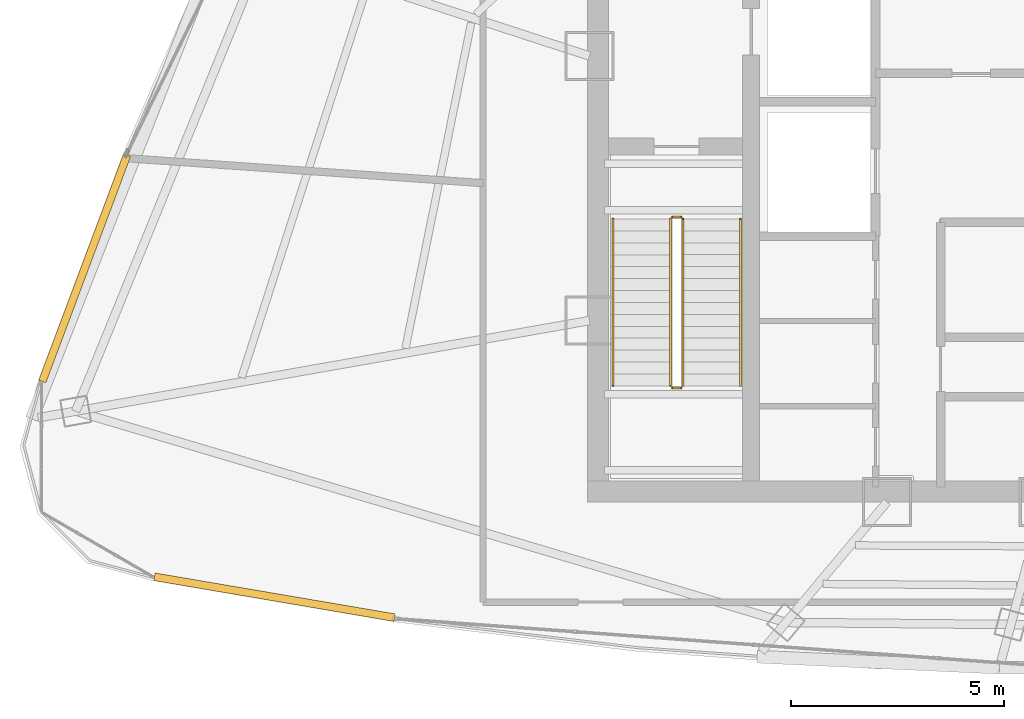
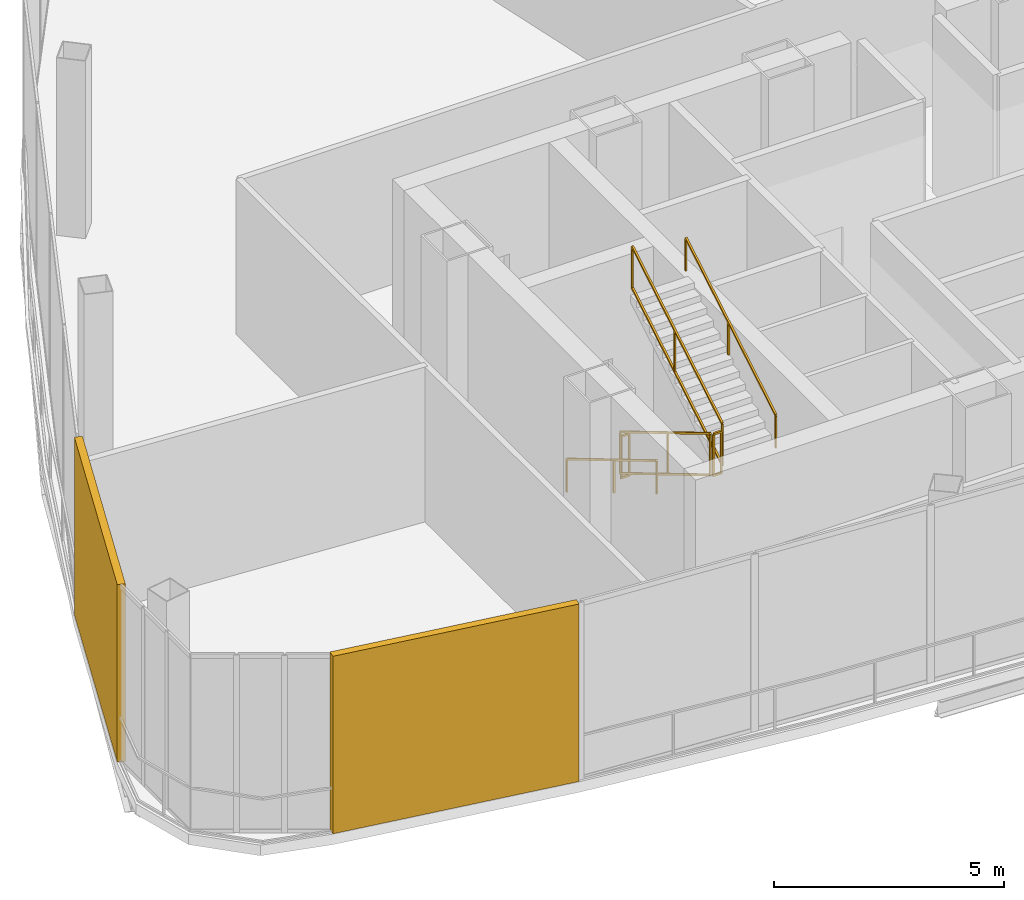
# One storey, part 31 of 33: 6 railings, 2 shading devices.
"""IFC4 building model written with IfcOpenShell, lengths in metres."""

from ifc_helpers import new_model, si_unit, direction, frame, origin, origin_2d, place, context, subcontext, project, spatial, rectangle, extrude, source, transform, mapped, material, layer, layer_set, type_object, element, save


model = new_model("IFC4")

# Units and contexts
model_context = context("Model", 3, precision=1e-05, world=origin(), true_north=direction((0.0, 1.0)))
body_context = subcontext(model_context, "Body", "Model", "MODEL_VIEW")
ifc_project = project(units=[si_unit("LENGTHUNIT", "METRE"), si_unit("AREAUNIT", "SQUARE_METRE"), si_unit("VOLUMEUNIT", "CUBIC_METRE"), si_unit("PLANEANGLEUNIT", "RADIAN"), si_unit("MASSUNIT", "GRAM", prefix="KILO"), si_unit("THERMODYNAMICTEMPERATUREUNIT", "KELVIN"), si_unit("POWERUNIT", "WATT")], contexts=[model_context])

# Site, building, storey
site_placement = place(None, origin())
site = spatial("IfcSite", under=ifc_project, at=site_placement, CompositionType="ELEMENT")
building_placement = place(site_placement, origin())
building = spatial("IfcBuilding", under=site, at=building_placement, Name="Yunzhuo Pagoda Commons", CompositionType="ELEMENT")
storey_placement = place(building_placement, frame((0.0, 0.0, 391.760009765625)))
storey = spatial("IfcBuildingStorey", under=building, at=storey_placement, Name="L97", CompositionType="ELEMENT", Elevation=391.760009765625)

# Railings
ifc_material = material(Name="Anodized aluminium 6063-T6", Category="aluminium")
railing_type_1 = type_object("IfcRailingType", Name="GR-ST1 Stair Well Guardrail 1150", PredefinedType="GUARDRAIL", material=ifc_material)
railing_1_placement = place(storey_placement, frame((37.5, 33.89990234375, 0.166748046875)))
element("IfcRailing", 1, at=railing_1_placement, inside=storey, type_object=railing_type_1, Name="L97 ST1 stair guard 1", PredefinedType="GUARDRAIL", context=body_context, shape_type="SweptSolid", body=[
    extrude(rectangle(XDim=0.048095703125, YDim=0.048095703125, at=origin_2d()), frame((0.0, 0.0, 1.1259765625), z_axis=(0.0, -0.859296244711, 0.511478214419), x_axis=(1.0, 0.0, 0.0)), (0.0, 0.0, 1.0), 4.561767578125),
    extrude(rectangle(XDim=0.048095703125, YDim=0.048095703125, at=origin_2d()), frame((0.0, 0.0, 0.02392578125), z_axis=(0.0, -0.859296244711, 0.511478214419), x_axis=(1.0, 0.0, 0.0)), (0.0, 0.0, 1.0), 4.561767578125),
    extrude(rectangle(XDim=0.0419921875, YDim=0.0419921875, at=origin_2d()), origin(), (0.0, 0.0, 1.0), 1.101806640625),
    extrude(rectangle(XDim=0.0419921875, YDim=0.0419921875, at=origin_2d()), frame((0.0, -2.062255859375, 1.2275390625)), (0.0, 0.0, 1.0), 1.101806640625),
    extrude(rectangle(XDim=0.0419921875, YDim=0.0419921875, at=origin_2d()), frame((0.0, -3.919921875, 2.333251953125)), (0.0, 0.0, 1.0), 1.101806640625),
])
railing_2_placement = place(storey_placement, frame((37.550048828125, 29.929931640625, 2.5)))
element("IfcRailing", 2, at=railing_2_placement, inside=storey, type_object=railing_type_1, Name="L97 ST1 stair guard 2", PredefinedType="GUARDRAIL", context=body_context, shape_type="SweptSolid", body=[
    extrude(rectangle(XDim=0.048095703125, YDim=0.048095703125, at=origin_2d()), frame((0.0, 0.0, 1.1259765625), z_axis=(1.0, 0.0, 0.0), x_axis=(0.0, 1.0, 0.0)), (0.0, 0.0, 1.0), 0.199951171875),
    extrude(rectangle(XDim=0.048095703125, YDim=0.048095703125, at=origin_2d()), frame((0.0, 0.0, 0.02392578125), z_axis=(1.0, 0.0, 0.0), x_axis=(0.0, 1.0, 0.0)), (0.0, 0.0, 1.0), 0.199951171875),
    extrude(rectangle(XDim=0.0419921875, YDim=0.0419921875, at=origin_2d()), origin(), (0.0, 0.0, 1.0), 1.101806640625),
    extrude(rectangle(XDim=0.0419921875, YDim=0.0419921875, at=origin_2d()), frame((0.199951171875, 0.0, 0.0)), (0.0, 0.0, 1.0), 1.101806640625),
])
railing_3_placement = place(storey_placement, frame((37.800048828125, 29.97998046875, 2.666748046875)))
element("IfcRailing", 3, at=railing_3_placement, inside=storey, type_object=railing_type_1, Name="L97 ST1 stair guard 3", PredefinedType="GUARDRAIL", context=body_context, shape_type="SweptSolid", body=[
    extrude(rectangle(XDim=0.048095703125, YDim=0.048095703125, at=origin_2d()), frame((0.0, 0.0, 1.1259765625), z_axis=(0.0, 0.859296244711, 0.511478214419), x_axis=(-1.0, 0.0, 0.0)), (0.0, 0.0, 1.0), 4.561767578125),
    extrude(rectangle(XDim=0.048095703125, YDim=0.048095703125, at=origin_2d()), frame((0.0, 0.0, 0.02392578125), z_axis=(0.0, 0.859296244711, 0.511478214419), x_axis=(-1.0, 0.0, 0.0)), (0.0, 0.0, 1.0), 4.561767578125),
    extrude(rectangle(XDim=0.0419921875, YDim=0.0419921875, at=origin_2d()), origin(), (0.0, 0.0, 1.0), 1.101806640625),
    extrude(rectangle(XDim=0.0419921875, YDim=0.0419921875, at=origin_2d()), frame((0.0, 2.062255859375, 1.2275390625)), (0.0, 0.0, 1.0), 1.101806640625),
    extrude(rectangle(XDim=0.0419921875, YDim=0.0419921875, at=origin_2d()), frame((0.0, 3.919921875, 2.333251953125)), (0.0, 0.0, 1.0), 1.101806640625),
])
railing_4_placement = place(storey_placement, frame((37.550048828125, 33.949951171875, 0.0)))
element("IfcRailing", 4, at=railing_4_placement, inside=storey, type_object=railing_type_1, Name="L97 ST1 stair guard 4", PredefinedType="GUARDRAIL", context=body_context, shape_type="SweptSolid", body=[
    extrude(rectangle(XDim=0.048095703125, YDim=0.048095703125, at=origin_2d()), frame((0.0, 0.0, 1.1259765625), z_axis=(1.0, 0.0, 0.0), x_axis=(0.0, 1.0, 0.0)), (0.0, 0.0, 1.0), 0.199951171875),
    extrude(rectangle(XDim=0.048095703125, YDim=0.048095703125, at=origin_2d()), frame((0.0, 0.0, 0.02392578125), z_axis=(1.0, 0.0, 0.0), x_axis=(0.0, 1.0, 0.0)), (0.0, 0.0, 1.0), 0.199951171875),
    extrude(rectangle(XDim=0.0419921875, YDim=0.0419921875, at=origin_2d()), origin(), (0.0, 0.0, 1.0), 1.101806640625),
    extrude(rectangle(XDim=0.0419921875, YDim=0.0419921875, at=origin_2d()), frame((0.199951171875, 0.0, 0.0)), (0.0, 0.0, 1.0), 1.101806640625),
])
railing_type_2 = type_object("IfcRailingType", Name="HR-ST1 Stair Handrail 900", PredefinedType="HANDRAIL", material=ifc_material)
railing_5_placement = place(storey_placement, frame((36.14990234375, 33.89990234375, 0.166748046875)))
element("IfcRailing", 5, at=railing_5_placement, inside=storey, type_object=railing_type_2, Name="L97 ST1 stair handrail 1", PredefinedType="HANDRAIL", context=body_context, shape_type="SweptSolid", body=[
    extrude(rectangle(XDim=0.048095703125, YDim=0.048095703125, at=origin_2d()), frame((0.0, 0.0, 0.8759765625), z_axis=(0.0, -0.859296244711, 0.511478214419), x_axis=(1.0, 0.0, 0.0)), (0.0, 0.0, 1.0), 4.561767578125),
    extrude(rectangle(XDim=0.0419921875, YDim=0.0419921875, at=origin_2d()), origin(), (0.0, 0.0, 1.0), 0.851806640625),
    extrude(rectangle(XDim=0.0419921875, YDim=0.0419921875, at=origin_2d()), frame((0.0, -2.062255859375, 1.2275390625)), (0.0, 0.0, 1.0), 0.851806640625),
    extrude(rectangle(XDim=0.0419921875, YDim=0.0419921875, at=origin_2d()), frame((0.0, -3.919921875, 2.333251953125)), (0.0, 0.0, 1.0), 0.851806640625),
])
railing_6_placement = place(storey_placement, frame((39.14990234375, 29.97998046875, 2.666748046875)))
element("IfcRailing", 6, at=railing_6_placement, inside=storey, type_object=railing_type_2, Name="L97 ST1 stair handrail 2", PredefinedType="HANDRAIL", context=body_context, shape_type="SweptSolid", body=[
    extrude(rectangle(XDim=0.048095703125, YDim=0.048095703125, at=origin_2d()), frame((0.0, 0.0, 0.8759765625), z_axis=(0.0, 0.859296244711, 0.511478214419), x_axis=(-1.0, 0.0, 0.0)), (0.0, 0.0, 1.0), 4.561767578125),
    extrude(rectangle(XDim=0.0419921875, YDim=0.0419921875, at=origin_2d()), origin(), (0.0, 0.0, 1.0), 0.851806640625),
    extrude(rectangle(XDim=0.0419921875, YDim=0.0419921875, at=origin_2d()), frame((0.0, 2.062255859375, 1.2275390625)), (0.0, 0.0, 1.0), 0.851806640625),
    extrude(rectangle(XDim=0.0419921875, YDim=0.0419921875, at=origin_2d()), frame((0.0, 3.919921875, 2.333251953125)), (0.0, 0.0, 1.0), 0.851806640625),
])

# Shading devices
ifc_layer = layer(ifc_material, 0.179931640625)
ifc_layer_set = layer_set([ifc_layer], Name="Anodized aluminium 6063-T6")
shading_device_type = type_object("IfcShadingDeviceType", Name="SH-SCR2 Crown Drum Acoustic Louvre Screen", PredefinedType="JALOUSIE", material=ifc_layer_set)
shared_shape_1 = source(origin(), body_context, "Body", "SweptSolid", [
    extrude(rectangle(XDim=5.722900390625, YDim=0.179931640625, at=origin_2d()), origin(), (0.0, 0.0, 1.0), 4.719970703125),
])
shading_device_1_placement = place(storey_placement, frame((28.201416015625, 25.014404296875, 0.0), z_axis=(0.0, 0.0, 1.0), x_axis=(0.985803279142, -0.16790442172, 0.0)))
element("IfcShadingDevice", 7, at=shading_device_1_placement, inside=storey, type_object=shading_device_type, Name="L97 crown plant drum screen F1.0", PredefinedType="JALOUSIE", context=body_context, shape_type="MappedRepresentation", body=[
    mapped(shared_shape_1, transform((0.0, 0.0, 0.0), scale=1.0)),
])
shared_shape_2 = source(origin(), body_context, "Body", "SweptSolid", [
    extrude(rectangle(XDim=5.67724609375, YDim=0.179931640625, at=origin_2d()), origin(), (0.0, 0.0, 1.0), 4.719970703125),
])
shading_device_2_placement = place(storey_placement, frame((23.741455078125, 32.74169921875, 0.0), z_axis=(0.0, 0.0, 1.0), x_axis=(-0.350697773643, -0.936488692704, 0.0)))
element("IfcShadingDevice", 8, at=shading_device_2_placement, inside=storey, type_object=shading_device_type, Name="L97 crown plant drum screen F3.7", PredefinedType="JALOUSIE", context=body_context, shape_type="MappedRepresentation", body=[
    mapped(shared_shape_2, transform((0.0, 0.0, 0.0), scale=1.0)),
])

save(model, "model.ifc")
